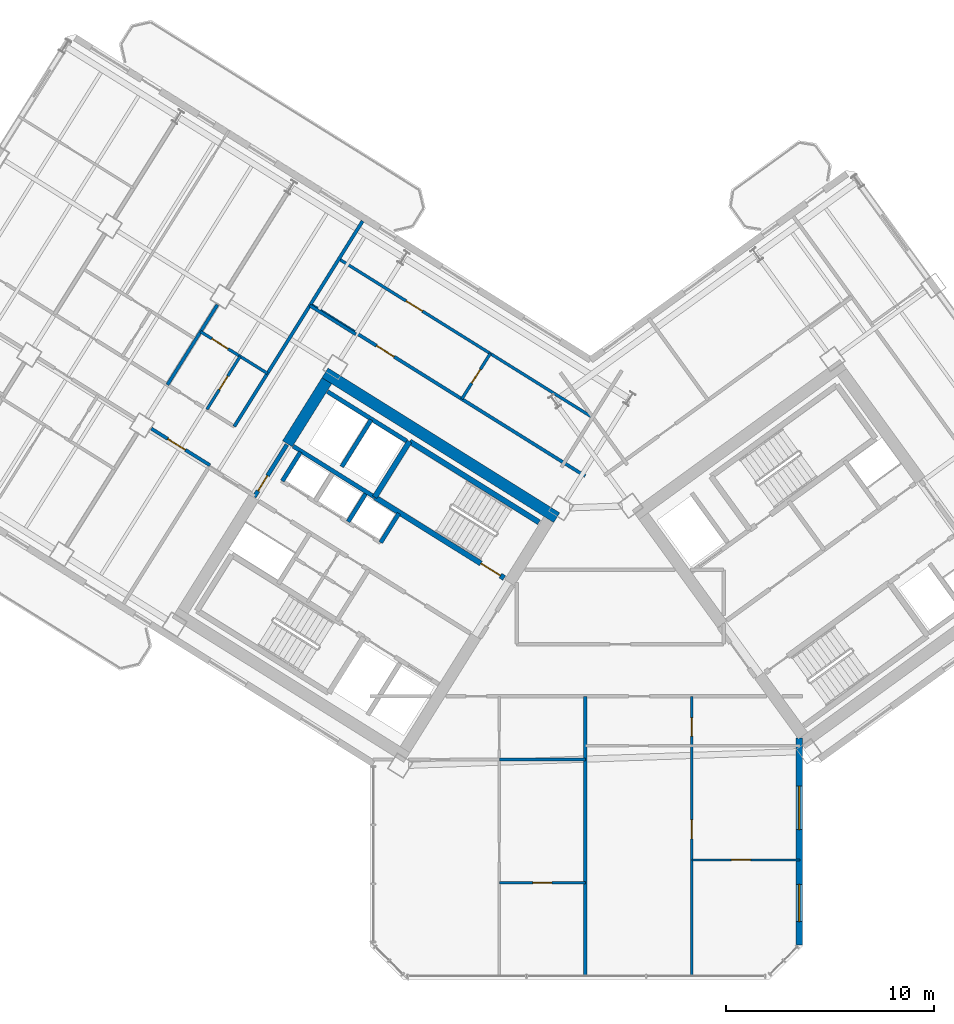
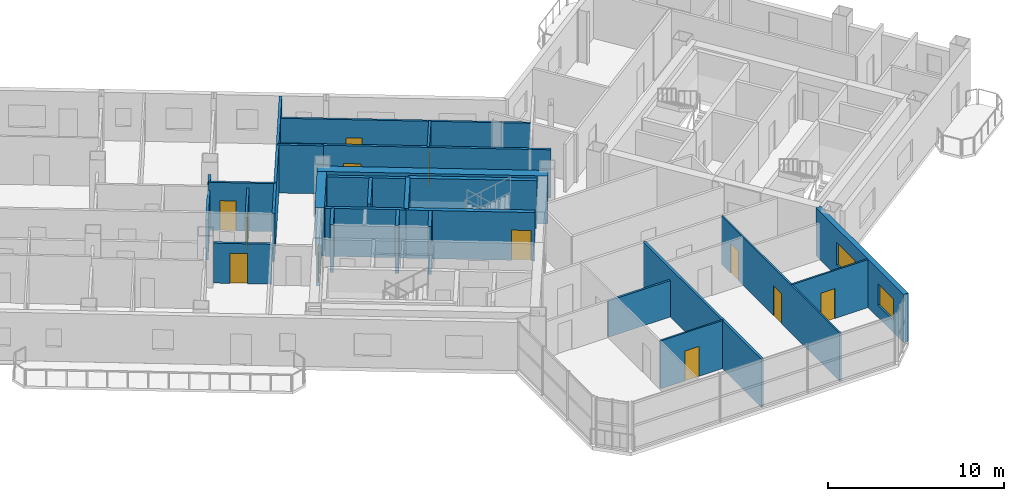
# One storey, part 13 of 20: 27 walls, 12 doors, 2 windows, 14 openings.
"""IFC4 building model written with IfcOpenShell, lengths in metres."""

from ifc_helpers import new_model, si_unit, direction, frame, frame_2d, origin, place, context, subcontext, project, spatial, rectangle, extrude, source, transform, mapped, material, layer, layer_set, type_object, element, fill, save


model = new_model("IFC4")

# Units and contexts
model_context = context("Model", 3, precision=1e-05, world=origin(), true_north=direction((0.0, 1.0)))
body_context = subcontext(model_context, "Body", "Model", "MODEL_VIEW")
ifc_project = project(units=[si_unit("LENGTHUNIT", "METRE"), si_unit("AREAUNIT", "SQUARE_METRE"), si_unit("VOLUMEUNIT", "CUBIC_METRE"), si_unit("PLANEANGLEUNIT", "RADIAN"), si_unit("MASSUNIT", "GRAM", prefix="KILO")], contexts=[model_context])

# Site, building, storey
site_placement = place(None, origin())
site = spatial("IfcSite", under=ifc_project, at=site_placement, CompositionType="ELEMENT")
building_placement = place(site_placement, origin())
building = spatial("IfcBuilding", under=site, at=building_placement, Name="Tlacorven Tower", CompositionType="ELEMENT")
storey_placement = place(building_placement, frame((0.0, 0.0, 108.89990234375)))
storey = spatial("IfcBuildingStorey", under=building, at=storey_placement, Name="L27", CompositionType="ELEMENT", Elevation=108.89990234375)

# Walls
ifc_material_1 = material(Name="Concrete C60/75", Category="concrete")
ifc_layer_1 = layer(ifc_material_1, 0.550048828125)
ifc_layer_set_1 = layer_set([ifc_layer_1], Name="Concrete C60/75")
wall_type_1 = type_object("IfcWallType", Name="WL-COR-550", PredefinedType="SHEAR", material=ifc_layer_set_1)
wall_1_placement = place(storey_placement, frame((40.572998046875, 24.010009765625, 0.0), z_axis=(0.0, 0.0, 1.0), x_axis=(-0.848047359947, 0.529920442413, 0.0)))
element("IfcWall", 1, at=wall_1_placement, inside=storey, type_object=wall_type_1, Name="L27 W core shear wall S1", PredefinedType="SHEAR", context=body_context, shape_type="SweptSolid", body=[
    extrude(rectangle(XDim=13.139892578125, YDim=0.550048828125, at=frame_2d((6.56982421875, 0.0))), origin(), (0.0, 0.0, 1.0), 3.35009765625),
])
wall_2_placement = place(storey_placement, frame((29.517333984375, 30.59423828125, 0.0), z_axis=(0.0, 0.0, 1.0), x_axis=(-0.529906864564, -0.848055844204, 0.0)))
element("IfcWall", 2, at=wall_2_placement, inside=storey, type_object=wall_type_1, Name="L27 W core end wall E2.1", PredefinedType="SHEAR", context=body_context, shape_type="SweptSolid", body=[
    extrude(rectangle(XDim=3.5751953125, YDim=0.550048828125, at=frame_2d((1.78759765625, 0.0))), origin(), (0.0, 0.0, 1.0), 3.35009765625),
])
ifc_material_2 = material(Name="Gypsum plasterboard acoustic partition", Category="gypsum")
ifc_layer_2 = layer(ifc_material_2, 0.159912109375)
ifc_layer_set_2 = layer_set([ifc_layer_2], Name="Gypsum plasterboard acoustic partition")
wall_type_2 = type_object("IfcWallType", Name="WL-DEM-160", PredefinedType="PARTITIONING", material=ifc_layer_set_2)
wall_3_placement = place(storey_placement, frame((30.91357421875, 32.82861328125, 0.0), z_axis=(0.0, 0.0, 1.0), x_axis=(-0.848008813643, 0.529982124211, 0.0)))
element("IfcWall", 3, at=wall_3_placement, inside=storey, type_object=wall_type_2, Name="L27 partition 45", PredefinedType="PARTITIONING", context=body_context, shape_type="SweptSolid", body=[
    extrude(rectangle(XDim=2.610107421875, YDim=0.159912109375, at=frame_2d((1.30517578125, 0.0))), origin(), (0.0, 0.0, 1.0), 3.340087890625),
])
wall_4_placement = place(storey_placement, frame((31.238525390625, 38.27392578125, 0.0), z_axis=(0.0, 0.0, 1.0), x_axis=(-0.529925472745, -0.848044216616, 0.0)))
element("IfcWall", 4, at=wall_4_placement, inside=storey, type_object=wall_type_2, Name="L27 partition 47", PredefinedType="PARTITIONING", context=body_context, shape_type="SweptSolid", body=[
    extrude(rectangle(XDim=11.64990234375, YDim=0.159912109375, at=frame_2d((5.824951171875, 0.0))), origin(), (0.0, 0.0, 1.0), 3.340087890625),
])

# Wall, opening, door
wall_5_placement = place(storey_placement, frame((23.899169921875, 26.528564453125, 0.0), z_axis=(0.0, 0.0, 1.0), x_axis=(-0.848064240775, 0.529893426567, 0.0)))
wall_5 = element("IfcWall", 5, at=wall_5_placement, inside=storey, type_object=wall_type_2, Name="L27 Wing W Corridor North Wall", PredefinedType="PARTITIONING", context=body_context, shape_type="SweptSolid", body=[
    extrude(rectangle(XDim=3.327880859375, YDim=0.159912109375, at=frame_2d((1.6640625, 0.0))), origin(), (0.0, 0.0, 1.0), 2.775146484375),
])
opening_1_placement = place(wall_5_placement, frame((1.39501953125, 0.0, 0.0)))
opening_1 = element("IfcOpeningElement", 6, at=opening_1_placement, cuts=wall_5, Name="Opening D11", PredefinedType="OPENING", context=body_context, shape_type="SweptSolid", body=[
    extrude(rectangle(XDim=1.0, YDim=2.10009765625, at=frame_2d((0.5, 1.050048828125))), frame((0.0, 0.08984375, 0.0), z_axis=(0.0, -1.0, 0.0), x_axis=(1.0, 0.0, 0.0)), (0.0, 0.0, 1.0), 0.179931640625),
])
ifc_material_3 = material(Name="Fire-rated steel door assembly", Category="steel")
door_type_1 = type_object("IfcDoorType", Name="DR-FLT-FD60-1000", OperationType="NOTDEFINED", PredefinedType="DOOR", material=ifc_material_3)
shared_shape_1 = source(origin(), body_context, "Body", "SweptSolid", [
    extrude(rectangle(XDim=1.0, YDim=2.10009765625, at=frame_2d((0.5, 1.050048828125))), frame((0.0, 0.02490234375, 0.0), z_axis=(0.0, -1.0, 0.0), x_axis=(1.0, 0.0, 0.0)), (0.0, 0.0, 1.0), 0.050048828125),
])
door_1_placement = place(opening_1_placement, origin())
door_1 = element("IfcDoor", 7, at=door_1_placement, inside=storey, type_object=door_type_1, Name="L27 door 024", OperationType="SINGLE_SWING_LEFT", OverallHeight=2.10009765625, OverallWidth=1.0, PredefinedType="DOOR", context=body_context, shape_type="MappedRepresentation", body=[
    mapped(shared_shape_1, transform((0.0, 0.0, 0.0), scale=1.0)),
])
fill(opening_1, door_1)

# Wall
wall_6_placement = place(storey_placement, frame((24.255615234375, 34.2509765625, 0.0), z_axis=(0.0, 0.0, 1.0), x_axis=(-0.529926399231, -0.848043637673, 0.0)))
element("IfcWall", 8, at=wall_6_placement, inside=storey, type_object=wall_type_2, Name="L27 WS Demising Wall 1", PredefinedType="PARTITIONING", context=body_context, shape_type="SweptSolid", body=[
    extrude(rectangle(XDim=4.537841796875, YDim=0.159912109375, at=frame_2d((2.26904296875, 0.0))), origin(), (0.0, 0.0, 1.0), 2.775146484375),
])

# Wall, opening, door
wall_7_placement = place(storey_placement, frame((41.93603515625, 26.011962890625, 0.0), z_axis=(0.0, 0.0, 1.0), x_axis=(-0.848051154596, 0.529914369676, 0.0)))
wall_7 = element("IfcWall", 9, at=wall_7_placement, inside=storey, type_object=wall_type_2, Name="L27 partition 69", PredefinedType="PARTITIONING", context=body_context, shape_type="SweptSolid", body=[
    extrude(rectangle(XDim=15.56982421875, YDim=0.159912109375, at=frame_2d((7.784912109375, 0.0))), origin(), (0.0, 0.0, 1.0), 3.340087890625),
])
opening_2_placement = place(wall_7_placement, frame((10.830078125, 0.0, 0.0)))
opening_2 = element("IfcOpeningElement", 10, at=opening_2_placement, cuts=wall_7, Name="Opening D11", PredefinedType="OPENING", context=body_context, shape_type="SweptSolid", body=[
    extrude(rectangle(XDim=1.0, YDim=2.10009765625, at=frame_2d((0.5, 1.050048828125))), frame((0.0, 0.08984375, 0.0), z_axis=(0.0, -1.0, 0.0), x_axis=(1.0, 0.0, 0.0)), (0.0, 0.0, 1.0), 0.179931640625),
])
door_2_placement = place(opening_2_placement, origin())
door_2 = element("IfcDoor", 11, at=door_2_placement, inside=storey, type_object=door_type_1, Name="L27 door 043", OperationType="SINGLE_SWING_LEFT", OverallHeight=2.10009765625, OverallWidth=1.0, PredefinedType="DOOR", context=body_context, shape_type="MappedRepresentation", body=[
    mapped(shared_shape_1, transform((0.0, 0.0, 0.0), scale=1.0)),
])
fill(opening_2, door_2)

# Wall
wall_8_placement = place(storey_placement, frame((41.949951171875, 1.9599609375, 0.0), z_axis=(0.0, 0.0, 1.0), x_axis=(0.0, 1.0, 0.0)))
element("IfcWall", 12, at=wall_8_placement, inside=storey, type_object=wall_type_2, Name="L27 Knuckle Demising Wall 1", PredefinedType="PARTITIONING", context=body_context, shape_type="SweptSolid", body=[
    extrude(rectangle(XDim=13.4599609375, YDim=0.159912109375, at=frame_2d((6.72998046875, 0.0))), origin(), (0.0, 0.0, 1.0), 3.340087890625),
])

# Wall, openings, windows
ifc_material_4 = material(Name="Precast concrete C45/55", Category="concrete")
ifc_layer_3 = layer(ifc_material_4, 0.320068359375)
ifc_layer_set_3 = layer_set([ifc_layer_3], Name="Precast concrete C45/55")
wall_type_3 = type_object("IfcWallType", Name="WL-EXT-320", PredefinedType="STANDARD", material=ifc_layer_set_3)
wall_9_placement = place(storey_placement, frame((52.239990234375, 13.4140625, 0.0), z_axis=(0.0, 0.0, 1.0), x_axis=(0.0, -1.0, 0.0)))
wall_9 = element("IfcWall", 13, at=wall_9_placement, inside=storey, type_object=wall_type_3, Name="L27 Masonry-Frame Recessed Facade Wall 7", PredefinedType="STANDARD", context=body_context, shape_type="SweptSolid", body=[
    extrude(rectangle(XDim=9.94775390625, YDim=0.320068359375, at=frame_2d((4.973876953125, 0.0))), origin(), (0.0, 0.0, 1.0), 3.35009765625),
])
opening_3_placement = place(wall_9_placement, frame((2.31005859375, 0.0, 0.800048828125)))
opening_3 = element("IfcOpeningElement", 14, at=opening_3_placement, cuts=wall_9, Name="Opening WN04", PredefinedType="OPENING", context=body_context, shape_type="SweptSolid", body=[
    extrude(rectangle(XDim=2.10009765625, YDim=1.550048828125, at=frame_2d((1.050048828125, 0.77490234375))), frame((0.0, 0.169921875, 0.0), z_axis=(0.0, -1.0, 0.0), x_axis=(1.0, 0.0, 0.0)), (0.0, 0.0, 1.0), 0.340087890625),
])
opening_4_placement = place(wall_9_placement, frame((7.033447265625, 0.0, 0.85009765625)))
opening_4 = element("IfcOpeningElement", 15, at=opening_4_placement, cuts=wall_9, Name="Opening WN01", PredefinedType="OPENING", context=body_context, shape_type="SweptSolid", body=[
    extrude(rectangle(XDim=1.800048828125, YDim=1.5, at=frame_2d((0.89990234375, 0.75))), frame((0.0, 0.169921875, 0.0), z_axis=(0.0, -1.0, 0.0), x_axis=(1.0, 0.0, 0.0)), (0.0, 0.0, 1.0), 0.340087890625),
])
ifc_material_5 = material(Name="Dark solar low-E double glazing in anodised aluminium frame", Category="aluminium")
window_type_1 = type_object("IfcWindowType", Name="WN-APT-2100X1750", PartitioningType="SINGLE_PANEL", PredefinedType="WINDOW", material=ifc_material_5)
shared_shape_2 = source(origin(), body_context, "Body", "SweptSolid", [
    extrude(rectangle(XDim=2.10009765625, YDim=1.550048828125, at=frame_2d((1.050048828125, 0.77490234375))), frame((0.0, 0.030029296875, 0.0), z_axis=(0.0, -1.0, 0.0), x_axis=(1.0, 0.0, 0.0)), (0.0, 0.0, 1.0), 0.06005859375),
])
window_1_placement = place(opening_3_placement, origin())
window_1 = element("IfcWindow", 16, at=window_1_placement, inside=storey, type_object=window_type_1, Name="L27 Recessed Masonry-Frame Window L27-07.1", OverallHeight=1.550048828125, OverallWidth=2.10009765625, PartitioningType="SINGLE_PANEL", PredefinedType="WINDOW", context=body_context, shape_type="MappedRepresentation", body=[
    mapped(shared_shape_2, transform((0.0, 0.0, 0.0), scale=1.0)),
])
fill(opening_3, window_1)
window_type_2 = type_object("IfcWindowType", Name="WN-APT-1800X1650", PartitioningType="SINGLE_PANEL", PredefinedType="WINDOW", material=ifc_material_5)
shared_shape_3 = source(origin(), body_context, "Body", "SweptSolid", [
    extrude(rectangle(XDim=1.800048828125, YDim=1.5, at=frame_2d((0.89990234375, 0.75))), frame((0.0, 0.030029296875, 0.0), z_axis=(0.0, -1.0, 0.0), x_axis=(1.0, 0.0, 0.0)), (0.0, 0.0, 1.0), 0.06005859375),
])
window_2_placement = place(opening_4_placement, origin())
window_2 = element("IfcWindow", 17, at=window_2_placement, inside=storey, type_object=window_type_2, Name="L27 Recessed Masonry-Frame Window L27-07.2", OverallHeight=1.5, OverallWidth=1.800048828125, PartitioningType="SINGLE_PANEL", PredefinedType="WINDOW", context=body_context, shape_type="MappedRepresentation", body=[
    mapped(shared_shape_3, transform((0.0, 0.0, 0.0), scale=1.0)),
])
fill(opening_4, window_2)

# Wall, opening, door
ifc_material_6 = material(Name="Gypsum plasterboard partition", Category="gypsum")
ifc_layer_4 = layer(ifc_material_6, 0.110107421875)
ifc_layer_set_4 = layer_set([ifc_layer_4], Name="Gypsum plasterboard partition")
wall_type_4 = type_object("IfcWallType", Name="WL-INT-110", PredefinedType="PARTITIONING", material=ifc_layer_set_4)
wall_10_placement = place(storey_placement, frame((37.81298828125, 6.449951171875, 0.0), z_axis=(0.0, 0.0, 1.0), x_axis=(1.0, 0.0, 0.0)))
wall_10 = element("IfcWall", 18, at=wall_10_placement, inside=storey, type_object=wall_type_4, Name="L27 partition 84", PredefinedType="PARTITIONING", context=body_context, shape_type="SweptSolid", body=[
    extrude(rectangle(XDim=4.136962890625, YDim=0.110107421875, at=frame_2d((2.068359375, 0.0))), origin(), (0.0, 0.0, 1.0), 3.340087890625),
])
opening_5_placement = place(wall_10_placement, frame((1.6083984375, 0.0, 0.0)))
opening_5 = element("IfcOpeningElement", 19, at=opening_5_placement, cuts=wall_10, Name="Opening D12", PredefinedType="OPENING", context=body_context, shape_type="SweptSolid", body=[
    extrude(rectangle(XDim=0.919921875, YDim=2.080078125, at=frame_2d((0.4599609375, 1.0400390625))), frame((0.0, 0.06494140625, 0.0), z_axis=(0.0, -1.0, 0.0), x_axis=(1.0, 0.0, 0.0)), (0.0, 0.0, 1.0), 0.130126953125),
])
ifc_material_7 = material(Name="Powder-coated aluminium and timber door", Category="wood")
door_type_2 = type_object("IfcDoorType", Name="DR-INT-ROOM-0920", OperationType="NOTDEFINED", PredefinedType="DOOR", material=ifc_material_7)
shared_shape_4 = source(origin(), body_context, "Body", "SweptSolid", [
    extrude(rectangle(XDim=0.919921875, YDim=2.080078125, at=frame_2d((0.4599609375, 1.0400390625))), frame((0.0, 0.02490234375, 0.0), z_axis=(0.0, -1.0, 0.0), x_axis=(1.0, 0.0, 0.0)), (0.0, 0.0, 1.0), 0.050048828125),
])
door_3_placement = place(opening_5_placement, origin())
door_3 = element("IfcDoor", 20, at=door_3_placement, inside=storey, type_object=door_type_2, Name="L27 door 050", OperationType="SINGLE_SWING_RIGHT", OverallHeight=2.080078125, OverallWidth=0.919921875, PredefinedType="DOOR", context=body_context, shape_type="MappedRepresentation", body=[
    mapped(shared_shape_4, transform((0.0, 0.0, 0.0), scale=1.0)),
])
fill(opening_5, door_3)

# Wall, openings, doors
wall_11_placement = place(storey_placement, frame((47.072021484375, 1.9599609375, 0.0), z_axis=(0.0, 0.0, 1.0), x_axis=(0.0, 1.0, 0.0)))
wall_11 = element("IfcWall", 21, at=wall_11_placement, inside=storey, type_object=wall_type_4, Name="L27 partition 85", PredefinedType="PARTITIONING", context=body_context, shape_type="SweptSolid", body=[
    extrude(rectangle(XDim=13.4599609375, YDim=0.110107421875, at=frame_2d((6.72998046875, 0.0))), origin(), (0.0, 0.0, 1.0), 3.340087890625),
])
opening_6_placement = place(wall_11_placement, frame((6.60009765625, 0.0, 0.0)))
opening_6 = element("IfcOpeningElement", 22, at=opening_6_placement, cuts=wall_11, Name="Opening D12", PredefinedType="OPENING", context=body_context, shape_type="SweptSolid", body=[
    extrude(rectangle(XDim=0.919921875, YDim=2.080078125, at=frame_2d((0.4599609375, 1.0400390625))), frame((0.0, 0.06494140625, 0.0), z_axis=(0.0, -1.0, 0.0), x_axis=(1.0, 0.0, 0.0)), (0.0, 0.0, 1.0), 0.130126953125),
])
opening_7_placement = place(wall_11_placement, frame((11.5400390625, 0.0, 0.0)))
opening_7 = element("IfcOpeningElement", 23, at=opening_7_placement, cuts=wall_11, Name="Opening D13", PredefinedType="OPENING", context=body_context, shape_type="SweptSolid", body=[
    extrude(rectangle(XDim=0.8798828125, YDim=2.080078125, at=frame_2d((0.43994140625, 1.0400390625))), frame((0.0, 0.06494140625, 0.0), z_axis=(0.0, -1.0, 0.0), x_axis=(1.0, 0.0, 0.0)), (0.0, 0.0, 1.0), 0.130126953125),
])
door_type_3 = type_object("IfcDoorType", Name="DR-INT-WET-0880", OperationType="NOTDEFINED", PredefinedType="DOOR", material=ifc_material_7)
shared_shape_5 = source(origin(), body_context, "Body", "SweptSolid", [
    extrude(rectangle(XDim=0.8798828125, YDim=2.080078125, at=frame_2d((0.43994140625, 1.0400390625))), frame((0.0, 0.02490234375, 0.0), z_axis=(0.0, -1.0, 0.0), x_axis=(1.0, 0.0, 0.0)), (0.0, 0.0, 1.0), 0.050048828125),
])
door_4_placement = place(opening_7_placement, origin())
door_4 = element("IfcDoor", 24, at=door_4_placement, inside=storey, type_object=door_type_3, Name="L27 door 058", OperationType="SINGLE_SWING_RIGHT", OverallHeight=2.080078125, OverallWidth=0.8798828125, PredefinedType="DOOR", context=body_context, shape_type="MappedRepresentation", body=[
    mapped(shared_shape_5, transform((0.0, 0.0, 0.0), scale=1.0)),
])
fill(opening_7, door_4)
door_5_placement = place(opening_6_placement, origin())
door_5 = element("IfcDoor", 25, at=door_5_placement, inside=storey, type_object=door_type_2, Name="L27 door 054", OperationType="SINGLE_SWING_RIGHT", OverallHeight=2.080078125, OverallWidth=0.919921875, PredefinedType="DOOR", context=body_context, shape_type="MappedRepresentation", body=[
    mapped(shared_shape_4, transform((0.0, 0.0, 0.0), scale=1.0)),
])
fill(opening_6, door_5)

# Wall, opening, door
wall_12_placement = place(storey_placement, frame((47.072021484375, 7.550048828125, 0.0), z_axis=(0.0, 0.0, 1.0), x_axis=(1.0, 0.0, 0.0)))
wall_12 = element("IfcWall", 26, at=wall_12_placement, inside=storey, type_object=wall_type_4, Name="L27 partition 88", PredefinedType="PARTITIONING", context=body_context, shape_type="SweptSolid", body=[
    extrude(rectangle(XDim=5.18798828125, YDim=0.110107421875, at=frame_2d((2.593994140625, 0.0))), origin(), (0.0, 0.0, 1.0), 3.340087890625),
])
opening_8_placement = place(wall_12_placement, frame((1.904052734375, 0.0, 0.0)))
opening_8 = element("IfcOpeningElement", 27, at=opening_8_placement, cuts=wall_12, Name="Opening D12", PredefinedType="OPENING", context=body_context, shape_type="SweptSolid", body=[
    extrude(rectangle(XDim=0.919921875, YDim=2.080078125, at=frame_2d((0.4599609375, 1.0400390625))), frame((0.0, 0.06494140625, 0.0), z_axis=(0.0, -1.0, 0.0), x_axis=(1.0, 0.0, 0.0)), (0.0, 0.0, 1.0), 0.130126953125),
])
door_6_placement = place(opening_8_placement, origin())
door_6 = element("IfcDoor", 28, at=door_6_placement, inside=storey, type_object=door_type_2, Name="L27 door 055", OperationType="SINGLE_SWING_LEFT", OverallHeight=2.080078125, OverallWidth=0.919921875, PredefinedType="DOOR", context=body_context, shape_type="MappedRepresentation", body=[
    mapped(shared_shape_4, transform((0.0, 0.0, 0.0), scale=1.0)),
])
fill(opening_8, door_6)

ifc_material_8 = material(Name="Moisture-resistant gypsum plumbing wall", Category="gypsum")
ifc_layer_5 = layer(ifc_material_8, 0.139892578125)
ifc_layer_set_5 = layer_set([ifc_layer_5], Name="Moisture-resistant gypsum plumbing wall")
wall_type_5 = type_object("IfcWallType", Name="WL-PLM-140", PredefinedType="PLUMBINGWALL", material=ifc_layer_set_5)
wall_13_placement = place(storey_placement, frame((26.659912109375, 30.94677734375, 0.0), z_axis=(0.0, 0.0, 1.0), x_axis=(-0.84803087207, 0.529946827537, 0.0)))
wall_13 = element("IfcWall", 29, at=wall_13_placement, inside=storey, type_object=wall_type_5, Name="L27 partition 62", PredefinedType="PLUMBINGWALL", context=body_context, shape_type="SweptSolid", body=[
    extrude(rectangle(XDim=3.7900390625, YDim=0.139892578125, at=frame_2d((1.89501953125, 0.0))), origin(), (0.0, 0.0, 1.0), 3.340087890625),
])
opening_9_placement = place(wall_13_placement, frame((2.22998046875, 0.0, 0.0)))
opening_9 = element("IfcOpeningElement", 30, at=opening_9_placement, cuts=wall_13, Name="Opening D12", PredefinedType="OPENING", context=body_context, shape_type="SweptSolid", body=[
    extrude(rectangle(XDim=0.919921875, YDim=2.080078125, at=frame_2d((0.4599609375, 1.0400390625))), frame((0.0, 0.080078125, 0.0), z_axis=(0.0, -1.0, 0.0), x_axis=(1.0, 0.0, 0.0)), (0.0, 0.0, 1.0), 0.159912109375),
])
door_7_placement = place(opening_9_placement, origin())
door_7 = element("IfcDoor", 31, at=door_7_placement, inside=storey, type_object=door_type_2, Name="L27 door 035", OperationType="SINGLE_SWING_LEFT", OverallHeight=2.080078125, OverallWidth=0.919921875, PredefinedType="DOOR", context=body_context, shape_type="MappedRepresentation", body=[
    mapped(shared_shape_4, transform((0.0, 0.0, 0.0), scale=1.0)),
])
fill(opening_9, door_7)

wall_14_placement = place(storey_placement, frame((25.345458984375, 31.768310546875, 0.0), z_axis=(0.0, 0.0, 1.0), x_axis=(-0.529882284462, -0.848071202561, 0.0)))
wall_14 = element("IfcWall", 32, at=wall_14_placement, inside=storey, type_object=wall_type_5, Name="L27 partition 63", PredefinedType="PLUMBINGWALL", context=body_context, shape_type="SweptSolid", body=[
    extrude(rectangle(XDim=3.010009765625, YDim=0.139892578125, at=frame_2d((1.5048828125, 0.0))), origin(), (0.0, 0.0, 1.0), 2.9951171875),
])
opening_10_placement = place(wall_14_placement, frame((1.114990234375, 0.0, 0.0)))
opening_10 = element("IfcOpeningElement", 33, at=opening_10_placement, cuts=wall_14, Name="Opening D22", PredefinedType="OPENING", context=body_context, shape_type="SweptSolid", body=[
    extrude(rectangle(XDim=0.780029296875, YDim=2.050048828125, at=frame_2d((0.39013671875, 1.02490234375))), frame((0.0, 0.080078125, 0.0), z_axis=(0.0, -1.0, 0.0), x_axis=(1.0, 0.0, 0.0)), (0.0, 0.0, 1.0), 0.159912109375),
])
door_type_4 = type_object("IfcDoorType", Name="DR-INT-WET-0780", OperationType="NOTDEFINED", PredefinedType="DOOR", material=ifc_material_7)
shared_shape_6 = source(origin(), body_context, "Body", "SweptSolid", [
    extrude(rectangle(XDim=0.780029296875, YDim=2.050048828125, at=frame_2d((0.39013671875, 1.02490234375))), frame((0.0, 0.02490234375, 0.0), z_axis=(0.0, -1.0, 0.0), x_axis=(1.0, 0.0, 0.0)), (0.0, 0.0, 1.0), 0.050048828125),
])
door_8_placement = place(opening_10_placement, origin())
door_8 = element("IfcDoor", 34, at=door_8_placement, inside=storey, type_object=door_type_4, Name="L27 door 036", OperationType="SINGLE_SWING_RIGHT", OverallHeight=2.050048828125, OverallWidth=0.780029296875, PredefinedType="DOOR", context=body_context, shape_type="MappedRepresentation", body=[
    mapped(shared_shape_6, transform((0.0, 0.0, 0.0), scale=1.0)),
])
fill(opening_10, door_8)

wall_15_placement = place(storey_placement, frame((42.226318359375, 28.872802734375, 0.0), z_axis=(0.0, 0.0, 1.0), x_axis=(-0.848049134363, 0.529917602752, 0.0)))
wall_15 = element("IfcWall", 35, at=wall_15_placement, inside=storey, type_object=wall_type_5, Name="L27 partition 71", PredefinedType="PLUMBINGWALL", context=body_context, shape_type="SweptSolid", body=[
    extrude(rectangle(XDim=14.300048828125, YDim=0.139892578125, at=frame_2d((7.14990234375, 0.0))), origin(), (0.0, 0.0, 1.0), 3.340087890625),
])
opening_11_placement = place(wall_15_placement, frame((9.570068359375, 0.0, 0.0)))
opening_11 = element("IfcOpeningElement", 36, at=opening_11_placement, cuts=wall_15, Name="Opening D12", PredefinedType="OPENING", context=body_context, shape_type="SweptSolid", body=[
    extrude(rectangle(XDim=0.919921875, YDim=2.080078125, at=frame_2d((0.4599609375, 1.0400390625))), frame((0.0, 0.080078125, 0.0), z_axis=(0.0, -1.0, 0.0), x_axis=(1.0, 0.0, 0.0)), (0.0, 0.0, 1.0), 0.159912109375),
])
door_9_placement = place(opening_11_placement, origin())
door_9 = element("IfcDoor", 37, at=door_9_placement, inside=storey, type_object=door_type_2, Name="L27 door 044", OperationType="SINGLE_SWING_RIGHT", OverallHeight=2.080078125, OverallWidth=0.919921875, PredefinedType="DOOR", context=body_context, shape_type="MappedRepresentation", body=[
    mapped(shared_shape_4, transform((0.0, 0.0, 0.0), scale=1.0)),
])
fill(opening_11, door_9)

wall_16_placement = place(storey_placement, frame((37.37548828125, 31.904052734375, 0.0), z_axis=(0.0, 0.0, 1.0), x_axis=(-0.529913878929, -0.848051461244, 0.0)))
wall_16 = element("IfcWall", 38, at=wall_16_placement, inside=storey, type_object=wall_type_5, Name="L27 partition 72", PredefinedType="PLUMBINGWALL", context=body_context, shape_type="SweptSolid", body=[
    extrude(rectangle(XDim=2.580078125, YDim=0.139892578125, at=frame_2d((1.2900390625, 0.0))), origin(), (0.0, 0.0, 1.0), 3.340087890625),
])
opening_12_placement = place(wall_16_placement, frame((0.89990234375, 0.0, 0.0)))
opening_12 = element("IfcOpeningElement", 39, at=opening_12_placement, cuts=wall_16, Name="Opening D22", PredefinedType="OPENING", context=body_context, shape_type="SweptSolid", body=[
    extrude(rectangle(XDim=0.780029296875, YDim=2.050048828125, at=frame_2d((0.39013671875, 1.02490234375))), frame((0.0, 0.080078125, 0.0), z_axis=(0.0, -1.0, 0.0), x_axis=(1.0, 0.0, 0.0)), (0.0, 0.0, 1.0), 0.159912109375),
])
door_10_placement = place(opening_12_placement, origin())
door_10 = element("IfcDoor", 40, at=door_10_placement, inside=storey, type_object=door_type_4, Name="L27 door 045", OperationType="SINGLE_SWING_LEFT", OverallHeight=2.050048828125, OverallWidth=0.780029296875, PredefinedType="DOOR", context=body_context, shape_type="MappedRepresentation", body=[
    mapped(shared_shape_6, transform((0.0, 0.0, 0.0), scale=1.0)),
])
fill(opening_12, door_10)

# Walls
wall_17_placement = place(storey_placement, frame((37.81298828125, 12.389892578125, 0.0), z_axis=(0.0, 0.0, 1.0), x_axis=(1.0, 0.0, 0.0)))
element("IfcWall", 41, at=wall_17_placement, inside=storey, type_object=wall_type_5, Name="L27 partition 83", PredefinedType="PLUMBINGWALL", context=body_context, shape_type="SweptSolid", body=[
    extrude(rectangle(XDim=4.136962890625, YDim=0.139892578125, at=frame_2d((2.068359375, 0.0))), origin(), (0.0, 0.0, 1.0), 2.525146484375),
])
ifc_material_9 = material(Name="Concrete C40/50", Category="concrete")
ifc_layer_6 = layer(ifc_material_9, 0.199951171875)
ifc_layer_set_6 = layer_set([ifc_layer_6], Name="Concrete C40/50")
wall_type_6 = type_object("IfcWallType", Name="WL-SHF-200", PredefinedType="STANDARD", material=ifc_layer_set_6)
wall_18_placement = place(storey_placement, frame((31.82177734375, 24.99755859375, 0.0), z_axis=(0.0, 0.0, 1.0), x_axis=(-0.848036912365, 0.52993716162, 0.0)))
element("IfcWall", 42, at=wall_18_placement, inside=storey, type_object=wall_type_6, Name="L27 Core W South Lift Shaft Wall", PredefinedType="STANDARD", context=body_context, shape_type="SweptSolid", body=[
    extrude(rectangle(XDim=4.617919921875, YDim=0.199951171875, at=frame_2d((2.30908203125, 0.0))), origin(), (0.0, 0.0, 1.0), 3.340087890625),
])
wall_19_placement = place(storey_placement, frame((32.982421875, 24.21337890625, 0.0), z_axis=(0.0, 0.0, 1.0), x_axis=(-0.529839334948, -0.84809803628, 0.0)))
element("IfcWall", 43, at=wall_19_placement, inside=storey, type_object=wall_type_6, Name="L27 partition 12", PredefinedType="STANDARD", context=body_context, shape_type="SweptSolid", body=[
    extrude(rectangle(XDim=1.650146484375, YDim=0.199951171875, at=frame_2d((0.8251953125, 0.0))), origin(), (0.0, 0.0, 1.0), 3.340087890625),
])
wall_20_placement = place(storey_placement, frame((28.250244140625, 27.170166015625, 0.0), z_axis=(0.0, 0.0, 1.0), x_axis=(-0.529905827651, -0.848056492117, 0.0)))
element("IfcWall", 44, at=wall_20_placement, inside=storey, type_object=wall_type_6, Name="L27 partition 13", PredefinedType="STANDARD", context=body_context, shape_type="SweptSolid", body=[
    extrude(rectangle(XDim=1.64990234375, YDim=0.199951171875, at=frame_2d((0.824951171875, 0.0))), origin(), (0.0, 0.0, 1.0), 3.340087890625),
])
wall_21_placement = place(storey_placement, frame((31.645263671875, 28.716064453125, 0.0), z_axis=(0.0, 0.0, 1.0), x_axis=(-0.52986693015, -0.848080795876, 0.0)))
element("IfcWall", 45, at=wall_21_placement, inside=storey, type_object=wall_type_6, Name="L27 partition 15", PredefinedType="STANDARD", context=body_context, shape_type="SweptSolid", body=[
    extrude(rectangle(XDim=2.659912109375, YDim=0.199951171875, at=frame_2d((1.330078125, 0.0))), origin(), (0.0, 0.0, 1.0), 3.340087890625),
])
wall_22_placement = place(storey_placement, frame((33.362548828125, 27.690185546875, 0.0), z_axis=(0.0, 0.0, 1.0), x_axis=(-0.848047090064, 0.529920874315, 0.0)))
element("IfcWall", 46, at=wall_22_placement, inside=storey, type_object=wall_type_6, Name="L27 partition 17", PredefinedType="STANDARD", context=body_context, shape_type="SweptSolid", body=[
    extrude(rectangle(XDim=4.498046875, YDim=0.199951171875, at=frame_2d((2.2490234375, 0.0))), origin(), (0.0, 0.0, 1.0), 3.340087890625),
])
wall_23_placement = place(storey_placement, frame((31.378662109375, 25.156494140625, 0.0), z_axis=(0.0, 0.0, 1.0), x_axis=(-0.529998940003, -0.847998304005, 0.0)))
element("IfcWall", 47, at=wall_23_placement, inside=storey, type_object=wall_type_6, Name="L27 partition 18", PredefinedType="STANDARD", context=body_context, shape_type="SweptSolid", body=[
    extrude(rectangle(XDim=1.580078125, YDim=0.199951171875, at=frame_2d((0.7900390625, 0.0))), origin(), (0.0, 0.0, 1.0), 3.340087890625),
])

# Wall, opening, door
wall_24_placement = place(storey_placement, frame((27.59619140625, 27.52001953125, 0.0), z_axis=(0.0, 0.0, 1.0), x_axis=(-0.529865479138, -0.848081702443, 0.0)))
wall_24 = element("IfcWall", 48, at=wall_24_placement, inside=storey, type_object=wall_type_6, Name="L27 partition 44", PredefinedType="STANDARD", context=body_context, shape_type="SweptSolid", body=[
    extrude(rectangle(XDim=2.9599609375, YDim=0.199951171875, at=frame_2d((1.47998046875, 0.0))), origin(), (0.0, 0.0, 1.0), 3.340087890625),
])
opening_13_placement = place(wall_24_placement, frame((1.760009765625, 0.0, 0.0)))
opening_13 = element("IfcOpeningElement", 49, at=opening_13_placement, cuts=wall_24, Name="Opening D19", PredefinedType="OPENING", context=body_context, shape_type="SweptSolid", body=[
    extrude(rectangle(XDim=0.860107421875, YDim=2.050048828125, at=frame_2d((0.43017578125, 1.02490234375))), frame((0.0, 0.10986328125, 0.0), z_axis=(0.0, -1.0, 0.0), x_axis=(1.0, 0.0, 0.0)), (0.0, 0.0, 1.0), 0.219970703125),
])
door_type_5 = type_object("IfcDoorType", Name="DR-RSR-FD60-0860", OperationType="NOTDEFINED", PredefinedType="DOOR", material=ifc_material_3)
shared_shape_7 = source(origin(), body_context, "Body", "SweptSolid", [
    extrude(rectangle(XDim=0.860107421875, YDim=2.050048828125, at=frame_2d((0.43017578125, 1.02490234375))), frame((0.0, 0.02490234375, 0.0), z_axis=(0.0, -1.0, 0.0), x_axis=(1.0, 0.0, 0.0)), (0.0, 0.0, 1.0), 0.050048828125),
])
door_11_placement = place(opening_13_placement, origin())
door_11 = element("IfcDoor", 50, at=door_11_placement, inside=storey, type_object=door_type_5, Name="L27 door 023", OperationType="SINGLE_SWING_LEFT", OverallHeight=2.050048828125, OverallWidth=0.860107421875, PredefinedType="DOOR", context=body_context, shape_type="MappedRepresentation", body=[
    mapped(shared_shape_7, transform((0.0, 0.0, 0.0), scale=1.0)),
])
fill(opening_13, door_11)

# Wall
ifc_material_10 = material(Name="Concrete C50/60", Category="concrete")
ifc_layer_7 = layer(ifc_material_10, 0.260009765625)
ifc_layer_set_7 = layer_set([ifc_layer_7], Name="Concrete C50/60")
wall_type_7 = type_object("IfcWallType", Name="WL-STW-260", PredefinedType="SHEAR", material=ifc_layer_set_7)
wall_25_placement = place(storey_placement, frame((39.720947265625, 23.787841796875, 0.0), z_axis=(0.0, 0.0, 1.0), x_axis=(-0.848054434086, 0.529909121291, 0.0)))
element("IfcWall", 51, at=wall_25_placement, inside=storey, type_object=wall_type_7, Name="L27 Stair W2 Far Shear Wall", PredefinedType="SHEAR", context=body_context, shape_type="SweptSolid", body=[
    extrude(rectangle(XDim=7.330078125, YDim=0.260009765625, at=frame_2d((3.6650390625, 0.0))), origin(), (0.0, 0.0, 1.0), 3.35009765625),
])

# Wall, opening, door
wall_26_placement = place(storey_placement, frame((38.04638671875, 21.10791015625, 0.0), z_axis=(0.0, 0.0, 1.0), x_axis=(-0.848054434086, 0.529909121291, 0.0)))
wall_26 = element("IfcWall", 52, at=wall_26_placement, inside=storey, type_object=wall_type_7, Name="L27 Stair W2 Lobby Shear Wall", PredefinedType="SHEAR", context=body_context, shape_type="SweptSolid", body=[
    extrude(rectangle(XDim=7.330078125, YDim=0.260009765625, at=frame_2d((3.6650390625, 0.0))), origin(), (0.0, 0.0, 1.0), 3.35009765625),
])
opening_14_placement = place(wall_26_placement, frame((0.219970703125, 0.0, 0.0)))
opening_14 = element("IfcOpeningElement", 53, at=opening_14_placement, cuts=wall_26, Name="Opening D07", PredefinedType="OPENING", context=body_context, shape_type="SweptSolid", body=[
    extrude(rectangle(XDim=1.10009765625, YDim=2.10009765625, at=frame_2d((0.550048828125, 1.050048828125))), frame((0.0, 0.14013671875, 0.0), z_axis=(0.0, -1.0, 0.0), x_axis=(1.0, 0.0, 0.0)), (0.0, 0.0, 1.0), 0.280029296875),
])
door_type_6 = type_object("IfcDoorType", Name="DR-STR-FD90-1100", OperationType="NOTDEFINED", PredefinedType="DOOR", material=ifc_material_3)
shared_shape_8 = source(origin(), body_context, "Body", "SweptSolid", [
    extrude(rectangle(XDim=1.10009765625, YDim=2.10009765625, at=frame_2d((0.550048828125, 1.050048828125))), frame((0.0, 0.02490234375, 0.0), z_axis=(0.0, -1.0, 0.0), x_axis=(1.0, 0.0, 0.0)), (0.0, 0.0, 1.0), 0.050048828125),
])
door_12_placement = place(opening_14_placement, origin())
door_12 = element("IfcDoor", 54, at=door_12_placement, inside=storey, type_object=door_type_6, Name="L27 Exit Stair W2 Fire Door", OperationType="SINGLE_SWING_RIGHT", OverallHeight=2.10009765625, OverallWidth=1.10009765625, PredefinedType="DOOR", context=body_context, shape_type="MappedRepresentation", body=[
    mapped(shared_shape_8, transform((0.0, 0.0, 0.0), scale=1.0)),
])
fill(opening_14, door_12)

# Wall
wall_27_placement = place(storey_placement, frame((33.496337890625, 27.677490234375, 0.0), z_axis=(0.0, 0.0, 1.0), x_axis=(-0.529908658664, -0.84805472316, 0.0)))
element("IfcWall", 55, at=wall_27_placement, inside=storey, type_object=wall_type_7, Name="L27 Stair W2 East Shear Wall", PredefinedType="SHEAR", context=body_context, shape_type="SweptSolid", body=[
    extrude(rectangle(XDim=3.16015625, YDim=0.260009765625, at=frame_2d((1.580078125, 0.0))), origin(), (0.0, 0.0, 1.0), 3.35009765625),
])

save(model, "model.ifc")
